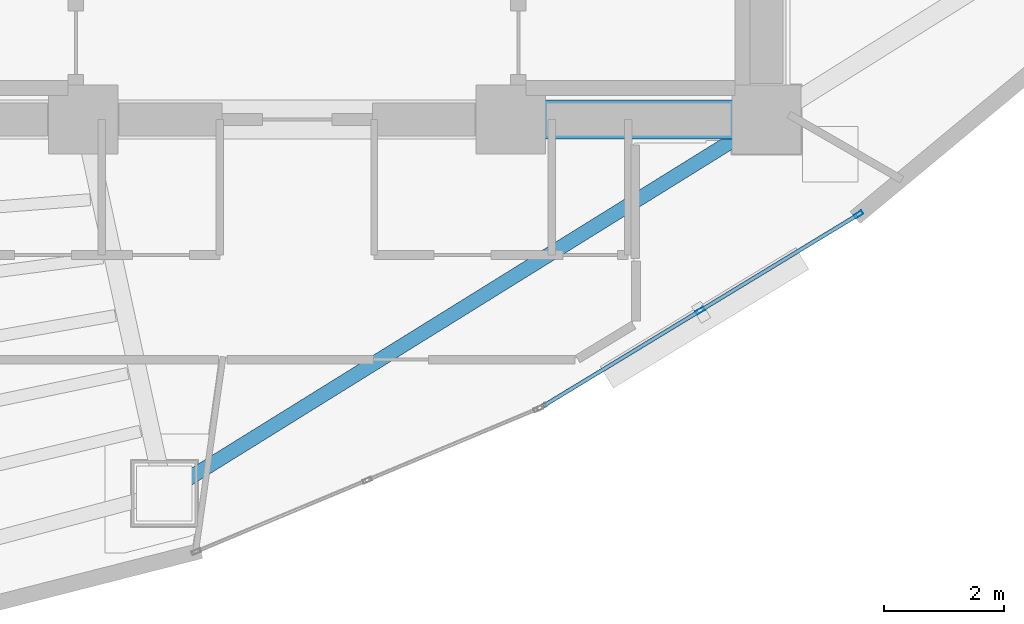
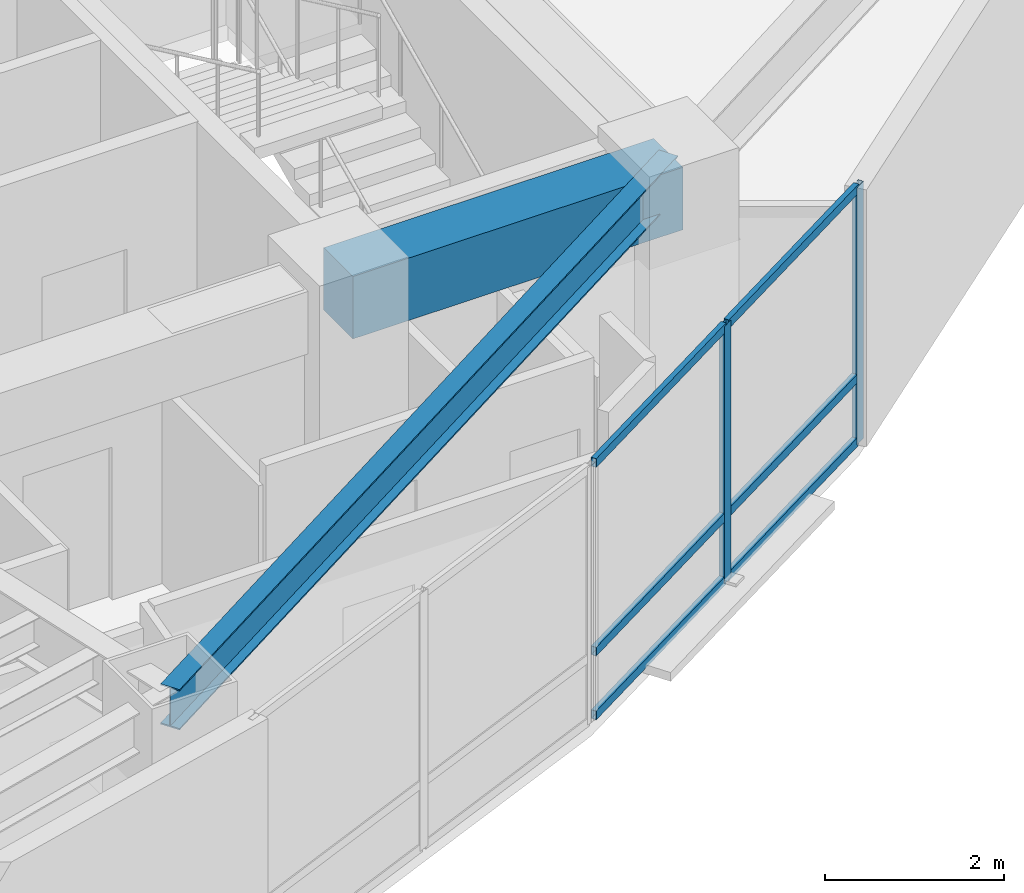
# One storey, part 5 of 15: 8 members, 2 beams, 1 element without a shape of its own.
"""IFC4 building model written with IfcOpenShell, lengths in metres."""

from ifc_helpers import new_model, si_unit, direction, frame, origin, origin_2d, place, context, subcontext, project, spatial, rectangle, hollow_rectangle, i_section, extrude, material, layer, layer_set, material_profile, profile_set, type_object, element, aggregate, save


model = new_model("IFC4")

# Units and contexts
model_context = context("Model", 3, precision=1e-05, world=origin(), true_north=direction((0.0, 1.0)))
body_context = subcontext(model_context, "Body", "Model", "MODEL_VIEW")
ifc_project = project(units=[si_unit("LENGTHUNIT", "METRE"), si_unit("AREAUNIT", "SQUARE_METRE"), si_unit("VOLUMEUNIT", "CUBIC_METRE"), si_unit("PLANEANGLEUNIT", "RADIAN"), si_unit("MASSUNIT", "GRAM", prefix="KILO")], contexts=[model_context])

# Site, building, storey
site_placement = place(None, origin())
site = spatial("IfcSite", under=ifc_project, at=site_placement, CompositionType="ELEMENT")
building_placement = place(site_placement, origin())
building = spatial("IfcBuilding", under=site, at=building_placement, Name="Menara Vayukalpa", CompositionType="ELEMENT")
storey_placement = place(building_placement, frame((0.0, 0.0, 137.4599609375)))
storey = spatial("IfcBuildingStorey", under=building, at=storey_placement, Name="L34", CompositionType="ELEMENT", Elevation=137.4599609375)

# Beams
ifc_material_1 = material(Name="Concrete C60/75", Category="concrete")
ifc_material_profile_1 = material_profile(ifc_material_1, rectangle(XDim=0.64990234375, YDim=0.85009765625, at=origin_2d()), Name="RC 650x850")
ifc_profile_set_1 = profile_set([ifc_material_profile_1], Name="Concrete C60/75")
beam_type_1 = type_object("IfcBeamType", Name="BM-CB1", PredefinedType="BEAM", material=ifc_profile_set_1)
beam_1_placement = place(storey_placement, frame((29.14990234375, 17.199951171875, 3.074951171875), z_axis=(1.0, 0.0, 0.0), x_axis=(0.0, 1.0, 0.0)))
element("IfcBeam", 1, at=beam_1_placement, inside=storey, type_object=beam_type_1, Name="L34 Core Tie Beam CBR3", PredefinedType="BEAM", context=body_context, shape_type="SweptSolid", body=[
    extrude(rectangle(XDim=0.64990234375, YDim=0.85009765625, at=origin_2d()), origin(), (0.0, 0.0, 1.0), 4.25),
])
ifc_material_2 = material(Name="Steel S355", Category="steel")
ifc_material_profile_2 = material_profile(ifc_material_2, i_section(OverallWidth=0.239990234375, OverallDepth=0.550048828125, WebThickness=0.010986328125, FlangeThickness=0.01904296875, at=origin_2d()), Name="WF 550x240x11x19")
ifc_profile_set_2 = profile_set([ifc_material_profile_2], Name="Steel S355")
beam_type_2 = type_object("IfcBeamType", Name="BM-SP2", PredefinedType="SPANDREL", material=ifc_profile_set_2)
beam_2_placement = place(storey_placement, frame((23.39697265625, 10.988037109375, 3.22509765625), z_axis=(0.849518408464, 0.527558976495, 0.0), x_axis=(-0.527558976495, 0.849518408464, 0.0)))
element("IfcBeam", 2, at=beam_2_placement, inside=storey, type_object=beam_type_2, Name="L34 Perimeter Spandrel Beam SP08", PredefinedType="SPANDREL", context=body_context, shape_type="SweptSolid", body=[
    extrude(i_section(OverallWidth=0.239990234375, OverallDepth=0.550048828125, WebThickness=0.010986328125, FlangeThickness=0.01904296875, at=origin_2d()), origin(), (0.0, 0.0, 1.0), 11.77490234375),
])

# Curtain wall, members
ifc_material_3 = material(Name="Anodised Terracotta Aluminium Alloy 6063-T6", Category="masonry")
ifc_layer = layer(ifc_material_3, 0.14990234375)
ifc_layer_set = layer_set([ifc_layer], Name="Anodised Terracotta Aluminium Alloy 6063-T6")
curtain_wall_type = type_object("IfcCurtainWallType", Name="CW-CW3", PredefinedType="USERDEFINED", material=ifc_layer_set)
curtain_wall_placement = place(storey_placement, origin())
curtain_wall = element("IfcCurtainWall", 3, at=curtain_wall_placement, inside=storey, type_object=curtain_wall_type, Name="L34 Mid Rise Terracotta Ribbon Curtain Wall CW3 17", ObjectType="UNITISED", PredefinedType="USERDEFINED")
ifc_material_4 = material(Name="Anodised Terracotta Aluminium Alloy 6063-T6", Category="masonry")
ifc_material_profile_3 = material_profile(ifc_material_4, hollow_rectangle(XDim=0.06494140625, YDim=0.14990234375, WallThickness=0.00341796875, at=origin_2d()), Name="ALU 65x150x3.5")
ifc_profile_set_3 = profile_set([ifc_material_profile_3], Name="Anodised Terracotta Aluminium Alloy 6063-T6")
member_type_1 = type_object("IfcMemberType", Name="CWM-CW3", PredefinedType="MULLION", material=ifc_profile_set_3)
member_1_placement = place(storey_placement, frame((32.295654296875, 14.0244140625, 0.0), z_axis=(0.0, 0.0, 1.0), x_axis=(-0.519195768176, 0.854655342409, 0.0)))
member_1 = element("IfcMember", 4, at=member_1_placement, type_object=member_type_1, Name="CW3 mullion 2", PredefinedType="MULLION", context=body_context, shape_type="SweptSolid", body=[
    extrude(hollow_rectangle(XDim=0.06494140625, YDim=0.14990234375, WallThickness=0.00341796875, at=origin_2d()), origin(), (0.0, 0.0, 1.0), 3.5),
])
member_2_placement = place(storey_placement, frame((34.927001953125, 15.622802734375, 0.0), z_axis=(0.0, 0.0, 1.0), x_axis=(-0.519195768176, 0.854655342409, 0.0)))
member_2 = element("IfcMember", 5, at=member_2_placement, type_object=member_type_1, Name="CW3 mullion 3", PredefinedType="MULLION", context=body_context, shape_type="SweptSolid", body=[
    extrude(hollow_rectangle(XDim=0.06494140625, YDim=0.14990234375, WallThickness=0.00341796875, at=origin_2d()), origin(), (0.0, 0.0, 1.0), 3.5),
])
ifc_material_5 = material(Name="Anodised Terracotta Aluminium Alloy 6063-T6", Category="masonry")
ifc_material_profile_4 = material_profile(ifc_material_5, hollow_rectangle(XDim=0.06494140625, YDim=0.1201171875, WallThickness=0.00341796875, at=origin_2d()), Name="ALU 65x120x3.5")
ifc_profile_set_4 = profile_set([ifc_material_profile_4], Name="Anodised Terracotta Aluminium Alloy 6063-T6")
member_type_2 = type_object("IfcMemberType", Name="CWT-CW3", PredefinedType="USERDEFINED", material=ifc_profile_set_4)
member_3_placement = place(storey_placement, frame((29.692138671875, 12.442626953125, 0.032470703125), z_axis=(0.854642464994, 0.519216965275, 0.0), x_axis=(-0.519216965275, 0.854642464994, 0.0)))
member_3 = element("IfcMember", 6, at=member_3_placement, type_object=member_type_2, Name="CW3 transom 1.1", ObjectType="TRANSOM", PredefinedType="USERDEFINED", context=body_context, shape_type="SweptSolid", body=[
    extrude(hollow_rectangle(XDim=0.06494140625, YDim=0.1201171875, WallThickness=0.00341796875, at=origin_2d()), origin(), (0.0, 0.0, 1.0), 3.01416015625),
])
member_4_placement = place(storey_placement, frame((29.692138671875, 12.442626953125, 0.900146484375), z_axis=(0.854642464994, 0.519216965275, 0.0), x_axis=(-0.519216965275, 0.854642464994, 0.0)))
member_4 = element("IfcMember", 7, at=member_4_placement, type_object=member_type_2, Name="CW3 transom 1.2", ObjectType="TRANSOM", PredefinedType="USERDEFINED", context=body_context, shape_type="SweptSolid", body=[
    extrude(hollow_rectangle(XDim=0.06494140625, YDim=0.1201171875, WallThickness=0.00341796875, at=origin_2d()), origin(), (0.0, 0.0, 1.0), 3.01416015625),
])
member_5_placement = place(storey_placement, frame((29.692138671875, 12.442626953125, 3.467529296875), z_axis=(0.854642464994, 0.519216965275, 0.0), x_axis=(-0.519216965275, 0.854642464994, 0.0)))
member_5 = element("IfcMember", 8, at=member_5_placement, type_object=member_type_2, Name="CW3 transom 1.3", ObjectType="TRANSOM", PredefinedType="USERDEFINED", context=body_context, shape_type="SweptSolid", body=[
    extrude(hollow_rectangle(XDim=0.06494140625, YDim=0.1201171875, WallThickness=0.00341796875, at=origin_2d()), origin(), (0.0, 0.0, 1.0), 3.01416015625),
])
member_6_placement = place(storey_placement, frame((32.323486328125, 14.041259765625, 0.032470703125), z_axis=(0.854656573285, 0.519193742008, 0.0), x_axis=(-0.519193742008, 0.854656573285, 0.0)))
member_6 = element("IfcMember", 9, at=member_6_placement, type_object=member_type_2, Name="CW3 transom 2.1", ObjectType="TRANSOM", PredefinedType="USERDEFINED", context=body_context, shape_type="SweptSolid", body=[
    extrude(hollow_rectangle(XDim=0.06494140625, YDim=0.1201171875, WallThickness=0.00341796875, at=origin_2d()), origin(), (0.0, 0.0, 1.0), 3.013671875),
])
member_7_placement = place(storey_placement, frame((32.323486328125, 14.041259765625, 0.900146484375), z_axis=(0.854656573285, 0.519193742008, 0.0), x_axis=(-0.519193742008, 0.854656573285, 0.0)))
member_7 = element("IfcMember", 10, at=member_7_placement, type_object=member_type_2, Name="CW3 transom 2.2", ObjectType="TRANSOM", PredefinedType="USERDEFINED", context=body_context, shape_type="SweptSolid", body=[
    extrude(hollow_rectangle(XDim=0.06494140625, YDim=0.1201171875, WallThickness=0.00341796875, at=origin_2d()), origin(), (0.0, 0.0, 1.0), 3.013671875),
])
member_8_placement = place(storey_placement, frame((32.323486328125, 14.041259765625, 3.467529296875), z_axis=(0.854656573285, 0.519193742008, 0.0), x_axis=(-0.519193742008, 0.854656573285, 0.0)))
member_8 = element("IfcMember", 11, at=member_8_placement, type_object=member_type_2, Name="CW3 transom 2.3", ObjectType="TRANSOM", PredefinedType="USERDEFINED", context=body_context, shape_type="SweptSolid", body=[
    extrude(hollow_rectangle(XDim=0.06494140625, YDim=0.1201171875, WallThickness=0.00341796875, at=origin_2d()), origin(), (0.0, 0.0, 1.0), 3.013671875),
])
aggregate(curtain_wall, [member_1, member_2, member_3, member_4, member_5, member_6, member_7, member_8])

save(model, "model.ifc")
